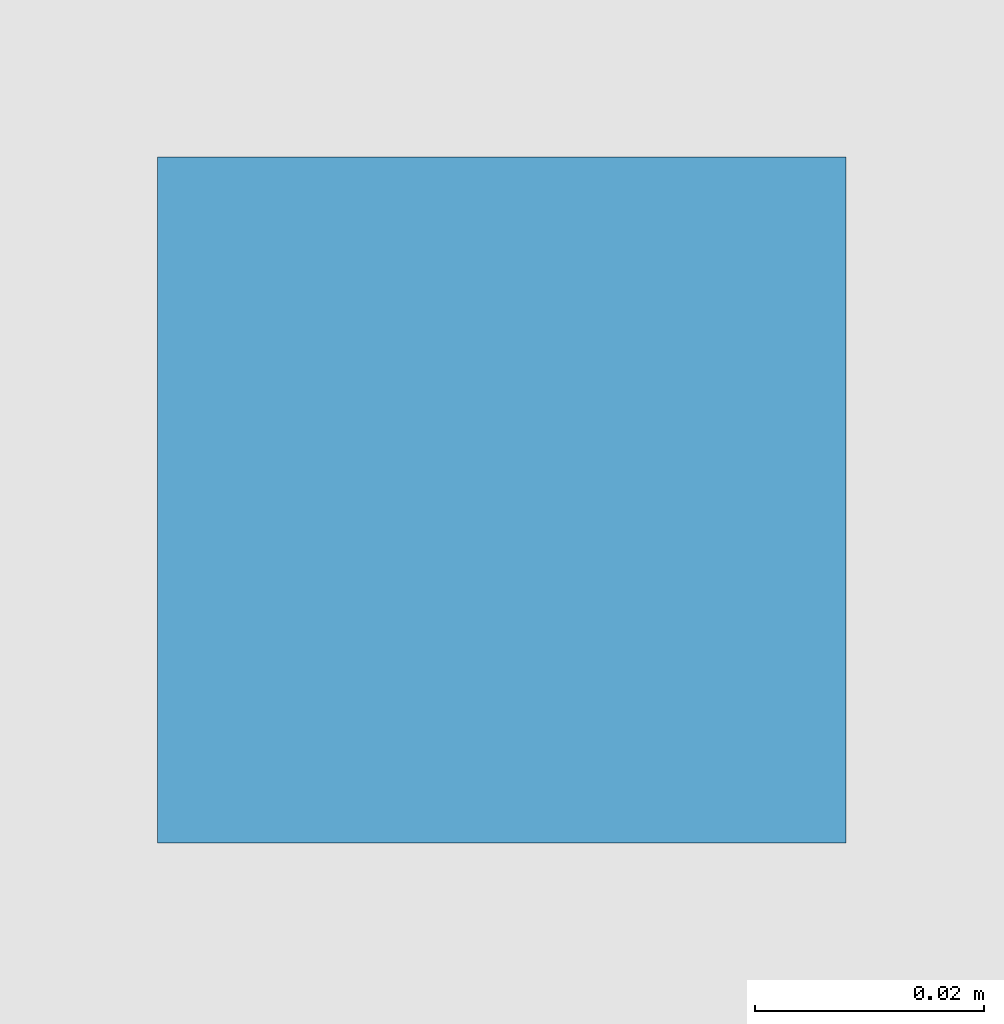
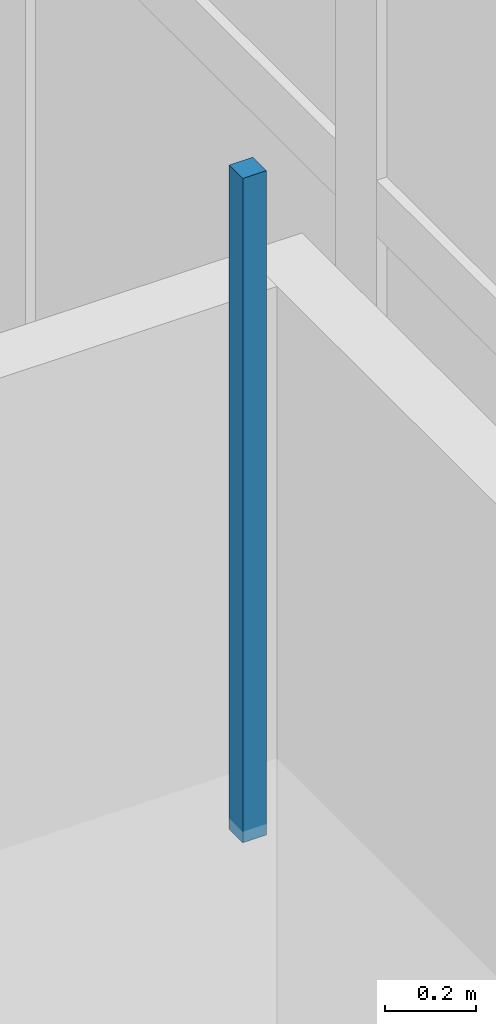
# One storey, part 86 of 111: 1 discrete accessory.
"""IFC4 building model written with IfcOpenShell, lengths in metres."""

from ifc_helpers import new_model, si_unit, direction, frame, origin, place, context, subcontext, project, spatial, polyline, outline, extrude, material, type_object, element, save


model = new_model("IFC4")

# Units and contexts
model_context = context("Model", 3, precision=1e-05, world=origin(), true_north=direction((0.0, 1.0)))
body_context = subcontext(model_context, "Body", "Model", "MODEL_VIEW")
ifc_project = project(units=[si_unit("LENGTHUNIT", "METRE"), si_unit("AREAUNIT", "SQUARE_METRE"), si_unit("VOLUMEUNIT", "CUBIC_METRE"), si_unit("PLANEANGLEUNIT", "RADIAN"), si_unit("MASSUNIT", "GRAM", prefix="KILO")], contexts=[model_context])

# Site, building, storey
site_placement = place(None, origin())
site = spatial("IfcSite", under=ifc_project, at=site_placement, CompositionType="ELEMENT")
building_placement = place(site_placement, origin())
building = spatial("IfcBuilding", under=site, at=building_placement, Name="Dunescarp Central Library", CompositionType="ELEMENT")
storey_placement = place(building_placement, origin())
storey = spatial("IfcBuildingStorey", under=building, at=storey_placement, Name="L00", CompositionType="ELEMENT", Elevation=0.0)

# Discrete accessory
ifc_material = material(Name="Stainless steel Grade 316L", Category="steel")
discrete_accessory_type = type_object("IfcDiscreteAccessoryType", Name="ARC-ACC-BRK", PredefinedType="BRACKET", material=ifc_material)
discrete_accessory_placement = place(storey_placement, frame((0.0, 0.0, 3.06005859375)))
element("IfcDiscreteAccessory", 1, at=discrete_accessory_placement, inside=storey, type_object=discrete_accessory_type, Name="L00 ceiling hanger CLG-L00-122-H2", PredefinedType="BRACKET", context=body_context, shape_type="SweptSolid", body=[
    extrude(outline(polyline([(22.52001953125, 89.320068359375), (22.580078125, 89.320068359375), (22.580078125, 89.3798828125), (22.52001953125, 89.3798828125), (22.52001953125, 89.320068359375)])), origin(), (0.0, 0.0, 1.0), 1.780029296875),
])

save(model, "model.ifc")
